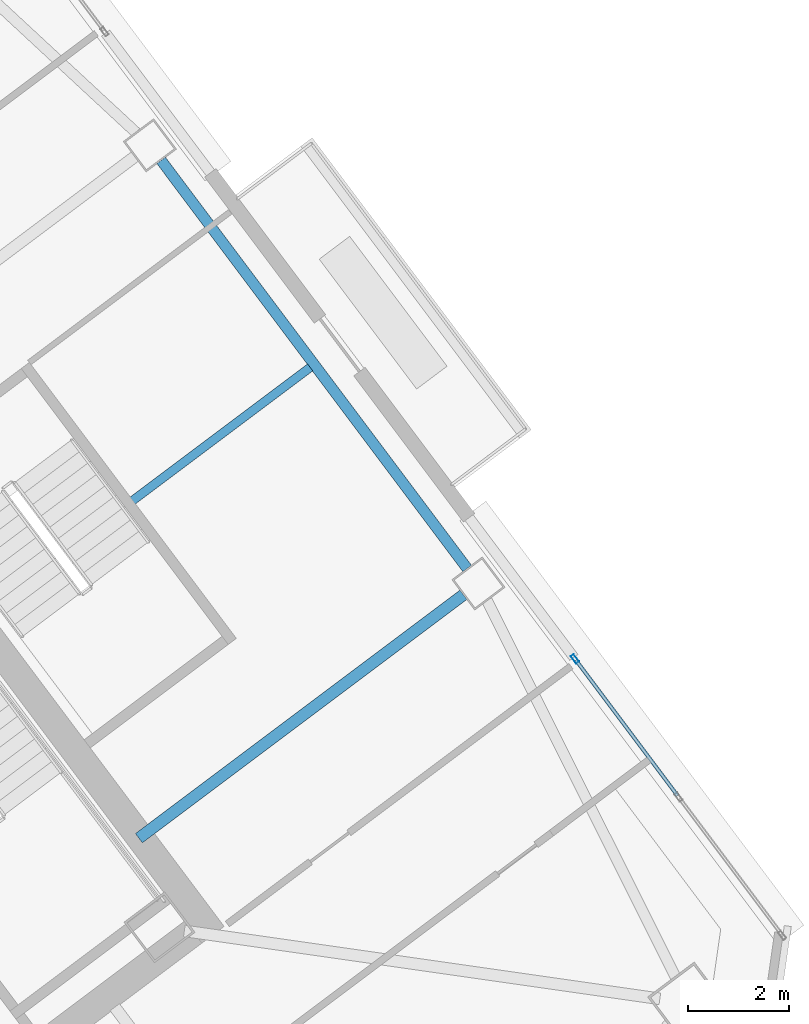
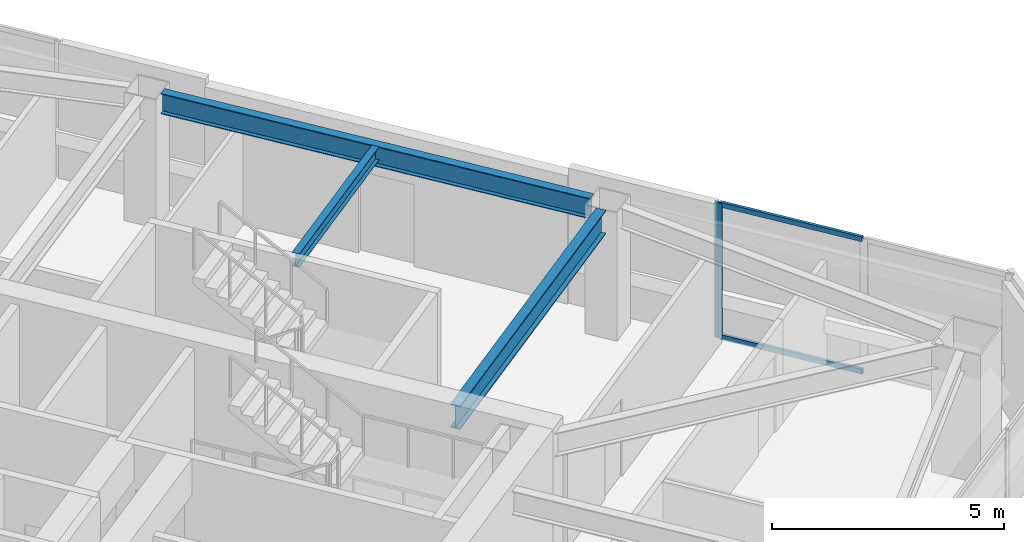
# One storey, part 26 of 43: 3 beams, 3 members, 1 element without a shape of its own.
"""IFC4 building model written with IfcOpenShell, lengths in metres."""

from ifc_helpers import new_model, si_unit, direction, frame, origin, origin_2d, place, context, subcontext, project, spatial, hollow_rectangle, i_section, extrude, material, material_profile, profile_set, type_object, element, aggregate, save


model = new_model("IFC4")

# Units and contexts
model_context = context("Model", 3, precision=1e-05, world=origin(), true_north=direction((0.0, 1.0)))
body_context = subcontext(model_context, "Body", "Model", "MODEL_VIEW")
ifc_project = project(units=[si_unit("LENGTHUNIT", "METRE"), si_unit("AREAUNIT", "SQUARE_METRE"), si_unit("VOLUMEUNIT", "CUBIC_METRE"), si_unit("PLANEANGLEUNIT", "RADIAN"), si_unit("MASSUNIT", "GRAM", prefix="KILO")], contexts=[model_context])

# Site, building, storey
site_placement = place(None, origin())
site = spatial("IfcSite", under=ifc_project, at=site_placement, CompositionType="ELEMENT")
building_placement = place(site_placement, origin())
building = spatial("IfcBuilding", under=site, at=building_placement, Name="Tashvorn Skyway Center", CompositionType="ELEMENT")
storey_placement = place(building_placement, frame((0.0, 0.0, 185.39990234375)))
storey = spatial("IfcBuildingStorey", under=building, at=storey_placement, Name="L50", CompositionType="ELEMENT", Elevation=185.39990234375)

# Beams
ifc_material_1 = material(Name="Steel ASTM A992 Grade 50", Category="steel")
ifc_material_profile_1 = material_profile(ifc_material_1, i_section(OverallWidth=0.22998046875, OverallDepth=0.616943359375, WebThickness=0.01318359375, FlangeThickness=0.022216796875, at=origin_2d()), Name="W24X94")
ifc_profile_set_1 = profile_set([ifc_material_profile_1], Name="Steel ASTM A992 Grade 50")
beam_type_1 = type_object("IfcBeamType", Name="BM-BEAM-W24X94", PredefinedType="BEAM", material=ifc_profile_set_1)
beam_1_placement = place(storey_placement, frame((129.864013671875, 37.14794921875, 3.0615234375), z_axis=(-0.799992675677, -0.60000976564, 0.0), x_axis=(0.60000976564, -0.799992675677, 0.0)))
element("IfcBeam", 1, at=beam_1_placement, inside=storey, type_object=beam_type_1, Name="Tower 2 L50 Primary Floor Girder FC-E1", PredefinedType="BEAM", context=body_context, shape_type="SweptSolid", body=[
    extrude(i_section(OverallWidth=0.22998046875, OverallDepth=0.616943359375, WebThickness=0.01318359375, FlangeThickness=0.022216796875, at=origin_2d()), origin(), (0.0, 0.0, 1.0), 8.0),
])
ifc_material_profile_2 = material_profile(ifc_material_1, i_section(OverallWidth=0.1708984375, OverallDepth=0.35498046875, WebThickness=0.007080078125, FlangeThickness=0.01171875, at=origin_2d()), Name="W14X34")
ifc_profile_set_2 = profile_set([ifc_material_profile_2], Name="Steel ASTM A992 Grade 50")
beam_type_2 = type_object("IfcBeamType", Name="BM-JOIST-W14X34", PredefinedType="JOIST", material=ifc_profile_set_2)
beam_2_placement = place(storey_placement, frame((123.3359375, 39.001953125, 3.192626953125), z_axis=(0.799993315235, 0.600008912917, 0.0), x_axis=(-0.600008912917, 0.799993315235, 0.0)))
element("IfcBeam", 2, at=beam_2_placement, inside=storey, type_object=beam_type_2, Name="Tower 2 L50 Secondary Composite Joist JE", PredefinedType="JOIST", context=body_context, shape_type="SweptSolid", body=[
    extrude(i_section(OverallWidth=0.1708984375, OverallDepth=0.35498046875, WebThickness=0.007080078125, FlangeThickness=0.01171875, at=origin_2d()), origin(), (0.0, 0.0, 1.0), 4.382568359375),
])
ifc_material_profile_3 = material_profile(ifc_material_1, i_section(OverallWidth=0.2109375, OverallDepth=0.5390625, WebThickness=0.01171875, FlangeThickness=0.018798828125, at=origin_2d()), Name="W21X73")
ifc_profile_set_3 = profile_set([ifc_material_profile_3], Name="Steel ASTM A992 Grade 50")
beam_type_3 = type_object("IfcBeamType", Name="BM-SPANDREL-W21X73", PredefinedType="SPANDREL", material=ifc_profile_set_3)
beam_3_placement = place(storey_placement, frame((129.93798828125, 37.666015625, 3.1005859375), z_axis=(-0.599988351091, 0.800008736549, 0.0), x_axis=(-0.800008736549, -0.599988351091, 0.0)))
element("IfcBeam", 3, at=beam_3_placement, inside=storey, type_object=beam_type_3, Name="Tower 2 L50 Spandrel Beam 05", PredefinedType="SPANDREL", context=body_context, shape_type="SweptSolid", body=[
    extrude(i_section(OverallWidth=0.2109375, OverallDepth=0.5390625, WebThickness=0.01171875, FlangeThickness=0.018798828125, at=origin_2d()), origin(), (0.0, 0.0, 1.0), 10.06005859375),
])

# Curtain wall, members
ifc_material_2 = material(Name="Thermally broken bronze-anodized aluminium 6063-T6", Category="aluminium")
curtain_wall_type = type_object("IfcCurtainWallType", Name="CW-CW-Z4", PredefinedType="NOTDEFINED", material=ifc_material_2)
curtain_wall_placement = place(storey_placement, origin())
curtain_wall = element("IfcCurtainWall", 4, at=curtain_wall_placement, inside=storey, type_object=curtain_wall_type, Name="Tower 2 L50 East Curtain Wall R Glazing Group 1", PredefinedType="NOTDEFINED")
ifc_material_profile_4 = material_profile(ifc_material_2, hollow_rectangle(XDim=0.070068359375, YDim=0.179931640625, WallThickness=0.00390625, at=origin_2d()), Name="ALU-MULL-70x180")
ifc_profile_set_4 = profile_set([ifc_material_profile_4], Name="Thermally broken bronze-anodized aluminium 6063-T6")
member_type_1 = type_object("IfcMemberType", Name="CWM-CW-Z4", PredefinedType="MULLION", material=ifc_profile_set_4)
member_1_placement = place(storey_placement, frame((132.06103515625, 35.88525390625, 0.0), z_axis=(0.0, 0.0, 1.0), x_axis=(0.79999825749, 0.60000232334, 0.0)))
member_1 = element("IfcMember", 5, at=member_1_placement, type_object=member_type_1, Name="CW-Z4 mullion 1", PredefinedType="MULLION", context=body_context, shape_type="SweptSolid", body=[
    extrude(hollow_rectangle(XDim=0.070068359375, YDim=0.179931640625, WallThickness=0.00390625, at=origin_2d()), origin(), (0.0, 0.0, 1.0), 3.550048828125),
])
ifc_material_profile_5 = material_profile(ifc_material_2, hollow_rectangle(XDim=0.070068359375, YDim=0.1298828125, WallThickness=0.00390625, at=origin_2d()), Name="ALU-TRAN-70x130")
ifc_profile_set_5 = profile_set([ifc_material_profile_5], Name="Thermally broken bronze-anodized aluminium 6063-T6")
member_type_2 = type_object("IfcMemberType", Name="CWT-CW-Z4", PredefinedType="USERDEFINED", material=ifc_profile_set_5)
member_2_placement = place(storey_placement, frame((132.08203125, 35.857421875, 0.03515625), z_axis=(0.599988298555, -0.80000877595, 0.0), x_axis=(0.80000877595, 0.599988298555, 0.0)))
member_2 = element("IfcMember", 6, at=member_2_placement, type_object=member_type_2, Name="CW-Z4 transom 1.1", ObjectType="TRANSOM", PredefinedType="USERDEFINED", context=body_context, shape_type="SweptSolid", body=[
    extrude(hollow_rectangle(XDim=0.070068359375, YDim=0.1298828125, WallThickness=0.00390625, at=origin_2d()), origin(), (0.0, 0.0, 1.0), 3.33837890625),
])
member_3_placement = place(storey_placement, frame((132.08203125, 35.857421875, 3.51513671875), z_axis=(0.599988298555, -0.80000877595, 0.0), x_axis=(0.80000877595, 0.599988298555, 0.0)))
member_3 = element("IfcMember", 7, at=member_3_placement, type_object=member_type_2, Name="CW-Z4 transom 1.2", ObjectType="TRANSOM", PredefinedType="USERDEFINED", context=body_context, shape_type="SweptSolid", body=[
    extrude(hollow_rectangle(XDim=0.070068359375, YDim=0.1298828125, WallThickness=0.00390625, at=origin_2d()), origin(), (0.0, 0.0, 1.0), 3.33837890625),
])
aggregate(curtain_wall, [member_1, member_2, member_3])

save(model, "model.ifc")
